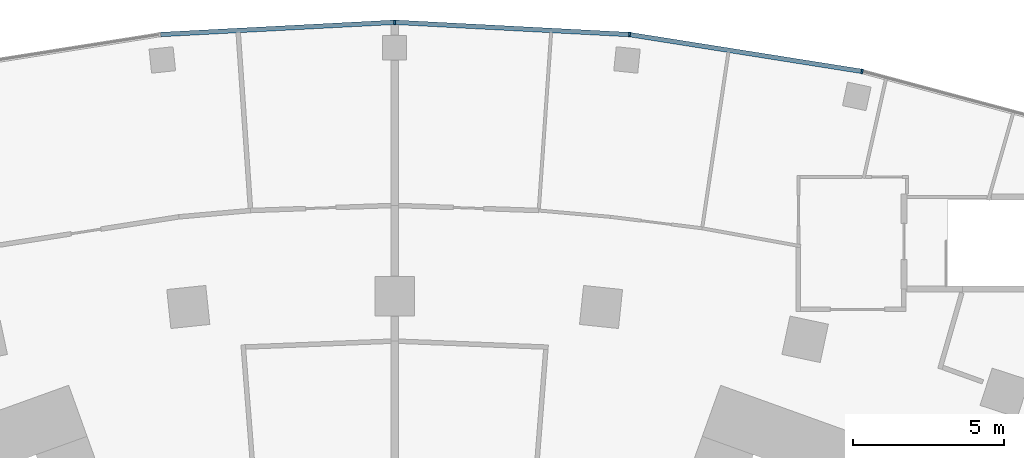
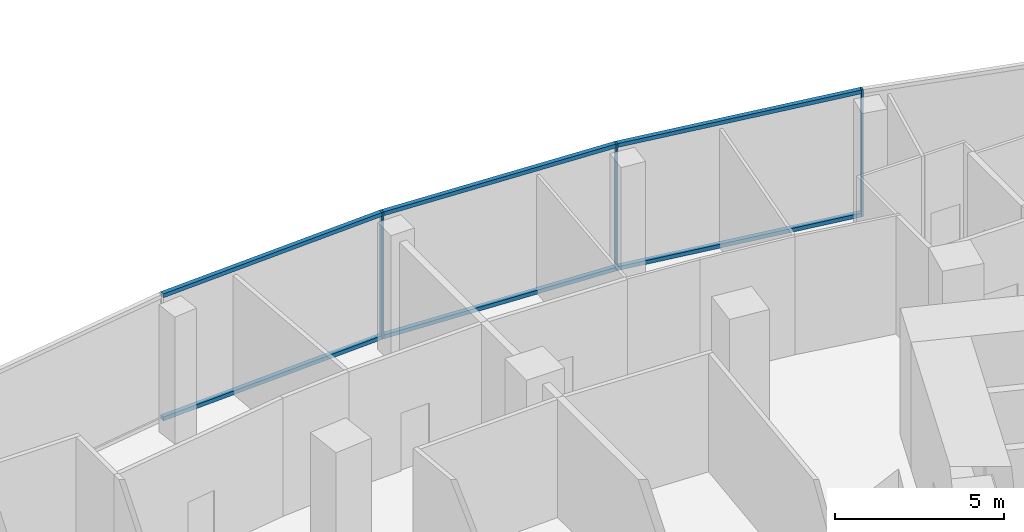
# One storey, part 13 of 33: 9 members, 1 element without a shape of its own.
"""IFC4 building model written with IfcOpenShell, lengths in metres."""

import ifcopenshell
import ifcopenshell.guid

model = None  # the IFC model being written
_history = None  # IfcOwnerHistory: only IFC2X3 demands one
_inside = {}  # id of a spatial element -> (the spatial element, [elements in it])
_under = {}  # id of a project, library or spatial element -> (it, [spatial elements below it])
_declared = {}  # id of a project -> (the project, [libraries it declares])
_typed = {}  # id of a type object -> (the type object, [elements of that type])
_made_of = {}  # id of a material, layer set ... -> (it, [elements and type objects made of it])


def new_model(schema):
    """Start an empty IFC model of exactly this schema.

    Asked for "IFC4X3", IfcOpenShell would pick the latest addendum, in which some entities
    have other attributes; the version numbers below select the first issue.
    IFC2X3 requires an IfcOwnerHistory on every rooted entity: one is made here for all.
    """
    global model, _history
    if schema == "IFC4X3":
        model = ifcopenshell.file(schema_version=(4, 3, 0, 0))
    else:
        model = ifcopenshell.file(schema=schema)
    _inside.clear()
    _under.clear()
    _declared.clear()
    _typed.clear()
    _made_of.clear()
    _history = None
    if model.schema == "IFC2X3":
        org = make("IfcOrganization", Name="unknown")
        user = make(
            "IfcPersonAndOrganization",
            ThePerson=make("IfcPerson", FamilyName="unknown"),
            TheOrganization=org,
        )
        app = make(
            "IfcApplication",
            ApplicationDeveloper=org,
            Version="unknown",
            ApplicationFullName="unknown",
            ApplicationIdentifier="unknown",
        )
        _history = make(
            "IfcOwnerHistory",
            OwningUser=user,
            OwningApplication=app,
            ChangeAction="ADDED",
            CreationDate=0,
        )
    return model


def make(cls, **values):
    """One entity of the class cls with the attributes given. An attribute that is None is left unset."""
    return model.create_entity(
        cls, **{name: value for name, value in values.items() if value is not None}
    )


def rooted(cls, **values):
    """An entity with a GlobalId (a new one), such as an element, a storey or a relation."""
    return make(cls, GlobalId=ifcopenshell.guid.new(), OwnerHistory=_history, **values)


def si_unit(unit_type, name, prefix=None):
    """IfcSIUnit, for example si_unit("LENGTHUNIT", "METRE", prefix="MILLI")."""
    return make("IfcSIUnit", UnitType=unit_type, Prefix=prefix, Name=name)


def assignment(units):
    """IfcUnitAssignment: the units of a project."""
    return None if units is None else make("IfcUnitAssignment", Units=units)


def point(xyz):
    """IfcCartesianPoint."""
    return None if xyz is None else make("IfcCartesianPoint", Coordinates=xyz)


def direction(xyz):
    """IfcDirection."""
    return None if xyz is None else make("IfcDirection", DirectionRatios=xyz)


def frame(location, z_axis=None, x_axis=None):
    """IfcAxis2Placement3D, a coordinate frame: its origin and axes. An axis left out is left unset."""
    return make(
        "IfcAxis2Placement3D",
        Location=point(location),
        Axis=direction(z_axis),
        RefDirection=direction(x_axis),
    )


def frame_2d(location, x_axis=None):
    """IfcAxis2Placement2D, a coordinate frame in the plane: its origin and x axis."""
    return make(
        "IfcAxis2Placement2D", Location=point(location), RefDirection=direction(x_axis)
    )


def origin():
    """The frame at (0, 0, 0) with its axes left unset."""
    return frame((0.0, 0.0, 0.0))


def origin_2d():
    """The frame at (0, 0) in the plane with its x axis left unset."""
    return frame_2d((0.0, 0.0))


def place(relative_to, where):
    """IfcLocalPlacement: puts the frame where relative to a parent placement (None: the world)."""
    return make(
        "IfcLocalPlacement", PlacementRelTo=relative_to, RelativePlacement=where
    )


def context(
    kind, dimensions, precision=None, world=None, true_north=None, identifier=None
):
    """IfcGeometricRepresentationContext, for example the 3D "Model" context."""
    return make(
        "IfcGeometricRepresentationContext",
        ContextIdentifier=identifier,
        ContextType=kind,
        CoordinateSpaceDimension=dimensions,
        Precision=precision,
        WorldCoordinateSystem=world,
        TrueNorth=true_north,
    )


def subcontext(parent, identifier, kind, view, scale=None):
    """IfcGeometricRepresentationSubContext, for example "Body" below "Model"."""
    return make(
        "IfcGeometricRepresentationSubContext",
        ContextIdentifier=identifier,
        ContextType=kind,
        ParentContext=parent,
        TargetScale=scale,
        TargetView=view,
    )


def project(units=None, contexts=None):
    """IfcProject with its units and contexts."""
    return rooted(
        "IfcProject",
        Name="project",
        RepresentationContexts=contexts,
        UnitsInContext=assignment(units),
    )


def spatial(cls, under=None, at=None, **own):
    """A site, building, storey or space (cls), placed at a placement, below another one or the project."""
    s = rooted(cls, ObjectPlacement=at, **own)
    if under is not None:
        _under.setdefault(under.id(), (under, []))[1].append(s)
    return s


def profile(cls, at=None, kind="AREA", **sizes):
    """A parametric profile (cls). Its sizes go by their IFC names, for example OverallWidth=200.0."""
    return make(cls, ProfileType=kind, Position=at, **sizes)


def rectangle(**sizes):
    """IfcRectangleProfileDef."""
    return profile("IfcRectangleProfileDef", **sizes)


def extrude(swept, where, along, depth):
    """IfcExtrudedAreaSolid: the profile swept, set in the frame where, extruded along a direction by depth."""
    return make(
        "IfcExtrudedAreaSolid",
        SweptArea=swept,
        Position=where,
        ExtrudedDirection=direction(along),
        Depth=depth,
    )


def shape(context_of_items, identifier, shape_type, items):
    """IfcShapeRepresentation: the items that make up one representation, for example the "Body"."""
    return make(
        "IfcShapeRepresentation",
        ContextOfItems=context_of_items,
        RepresentationIdentifier=identifier,
        RepresentationType=shape_type,
        Items=items,
    )


def material(Name=None, Category=None):
    """IfcMaterial."""
    return make("IfcMaterial", Name=Name, Category=Category)


def layer(
    of_material, thickness, ventilated=None, Name=None, Category=None, Priority=None
):
    """IfcMaterialLayer: one layer of a wall or slab, of a material (None: an air gap)."""
    return make(
        "IfcMaterialLayer",
        Material=of_material,
        LayerThickness=thickness,
        IsVentilated=ventilated,
        Name=Name,
        Category=Category,
        Priority=Priority,
    )


def layer_set(layers, Name=None):
    """IfcMaterialLayerSet."""
    return make("IfcMaterialLayerSet", MaterialLayers=layers, LayerSetName=Name)


def material_profile(
    of_material, cross_section, Name=None, Category=None, Priority=None
):
    """IfcMaterialProfile: a cross section and its material."""
    return make(
        "IfcMaterialProfile",
        Name=Name,
        Material=of_material,
        Profile=cross_section,
        Priority=Priority,
        Category=Category,
    )


def profile_set(profiles, Name=None, composite=None):
    """IfcMaterialProfileSet."""
    return make(
        "IfcMaterialProfileSet",
        Name=Name,
        MaterialProfiles=profiles,
        CompositeProfile=composite,
    )


def made_of(thing, what):
    """Note that an element or type object is made of a material, layer set ...; save() writes the relation."""
    if what is not None:
        _made_of.setdefault(what.id(), (what, []))[1].append(thing)
    return thing


def type_object(cls, material=None, **own):
    """A type object (cls), such as IfcWallType, which elements share."""
    return made_of(rooted(cls, **own), material)


def element(
    cls,
    number,
    at=None,
    inside=None,
    cuts=None,
    type_object=None,
    material=None,
    context=None,
    identifier="Body",
    shape_type=None,
    held_by="IfcProductDefinitionShape",
    body=None,
    shapes=None,
    **own,
):
    """One element of the class cls, such as IfcWall. Its Tag is "e" and its number.

    at: its placement. inside: the storey or other place that contains it. cuts: it is an
    opening in that element (IfcRelVoidsElement). A single representation is given by context,
    identifier, shape_type and body (its items); several are given by shapes. held_by: the class
    of the entity that holds the representations. save() writes the other relations.
    """
    e = rooted(cls, Tag="e%d" % number, ObjectPlacement=at, **own)
    if body is not None:
        shapes = [shape(context, identifier, shape_type, body)]
    if shapes is not None:
        e.Representation = make(held_by, Representations=shapes)
    if inside is not None:
        _inside.setdefault(inside.id(), (inside, []))[1].append(e)
    if cuts is not None:
        rooted(
            "IfcRelVoidsElement", RelatingBuildingElement=cuts, RelatedOpeningElement=e
        )
    if type_object is not None:
        _typed.setdefault(type_object.id(), (type_object, []))[1].append(e)
    return made_of(e, material)


def aggregate(whole, parts):
    """IfcRelAggregates: a whole, such as a stair, and the parts it consists of."""
    return rooted("IfcRelAggregates", RelatingObject=whole, RelatedObjects=parts)


def save(model, path):
    """Write the relations noted so far, then the file.

    IfcRelAggregates (storeys below a building ...), IfcRelContainedInSpatialStructure (elements
    in a storey), IfcRelDefinesByType, IfcRelAssociatesMaterial and IfcRelDeclares: one each for
    every whole, place, type object, material and project.
    """
    for whole, parts in _under.values():
        aggregate(whole, parts)
    for where, things in _inside.values():
        rooted(
            "IfcRelContainedInSpatialStructure",
            RelatedElements=things,
            RelatingStructure=where,
        )
    for kind, things in _typed.values():
        rooted("IfcRelDefinesByType", RelatedObjects=things, RelatingType=kind)
    for what, things in _made_of.values():
        rooted("IfcRelAssociatesMaterial", RelatedObjects=things, RelatingMaterial=what)
    for by, libraries in _declared.values():
        rooted("IfcRelDeclares", RelatingContext=by, RelatedDefinitions=libraries)
    model.write(path)


model = new_model("IFC4")

# Units and contexts
model_context = context("Model", 3, precision=1e-05, world=origin(), true_north=direction((0.0, 1.0)))
body_context = subcontext(model_context, "Body", "Model", "MODEL_VIEW")
ifc_project = project(units=[si_unit("LENGTHUNIT", "METRE"), si_unit("AREAUNIT", "SQUARE_METRE"), si_unit("VOLUMEUNIT", "CUBIC_METRE"), si_unit("PLANEANGLEUNIT", "RADIAN"), si_unit("MASSUNIT", "GRAM", prefix="KILO")], contexts=[model_context])

# Site, building, storey
site_placement = place(None, origin())
site = spatial("IfcSite", under=ifc_project, at=site_placement, CompositionType="ELEMENT")
building_placement = place(site_placement, origin())
building = spatial("IfcBuilding", under=site, at=building_placement, Name="Stone Belt Terrace Tower", CompositionType="ELEMENT")
storey_placement = place(building_placement, frame((0.0, 0.0, 25.39990234375)))
storey = spatial("IfcBuildingStorey", under=building, at=storey_placement, Name="L05", CompositionType="ELEMENT", Elevation=25.39990234375)

# Curtain wall, members
ifc_material = material(Name="Aluminium 6063-T6 anodised frame", Category="aluminium")
ifc_layer = layer(ifc_material, 0.14990234375)
ifc_layer_set = layer_set([ifc_layer], Name="CW-D podium shopfront")
curtain_wall_type = type_object("IfcCurtainWallType", Name="CW-D podium shopfront", PredefinedType="NOTDEFINED", material=ifc_layer_set)
curtain_wall_placement = place(storey_placement, origin())
curtain_wall = element("IfcCurtainWall", 1, at=curtain_wall_placement, inside=storey, type_object=curtain_wall_type, Name="CW-D convex face L05", PredefinedType="NOTDEFINED")
ifc_material_profile_1 = material_profile(ifc_material, rectangle(XDim=0.14990234375, YDim=0.06005859375, at=origin_2d()), Name="Aluminium 6063-T6 60x150")
ifc_profile_set_1 = profile_set([ifc_material_profile_1], Name="Aluminium 6063-T6 anodised frame")
member_type_1 = type_object("IfcMemberType", Name="CW-D mullion 60 x 150", PredefinedType="MULLION", material=ifc_profile_set_1)
member_1_placement = place(storey_placement, frame((15.505126953125, 72.945556640625, 0.0), z_axis=(0.0, 0.0, 1.0), x_axis=(-0.207911690818, -0.978147600734, 0.0)))
member_1 = element("IfcMember", 2, at=member_1_placement, type_object=member_type_1, Name="CW-D mullion 11", PredefinedType="MULLION", context=body_context, shape_type="SweptSolid", body=[
    extrude(rectangle(XDim=0.14990234375, YDim=0.06005859375, at=origin_2d()), origin(), (0.0, 0.0, 1.0), 4.60009765625),
])
member_2_placement = place(storey_placement, frame((7.795166015625, 74.16650390625, 0.0), z_axis=(0.0, 0.0, 1.0), x_axis=(-0.104528463268, -0.994521895368, 0.0)))
member_2 = element("IfcMember", 3, at=member_2_placement, type_object=member_type_1, Name="CW-D mullion 12", PredefinedType="MULLION", context=body_context, shape_type="SweptSolid", body=[
    extrude(rectangle(XDim=0.14990234375, YDim=0.06005859375, at=origin_2d()), origin(), (0.0, 0.0, 1.0), 4.60009765625),
])
member_3_placement = place(storey_placement, frame((0.0, 74.5751953125, 0.0), z_axis=(0.0, 0.0, 1.0), x_axis=(0.0, -1.0, 0.0)))
member_3 = element("IfcMember", 4, at=member_3_placement, type_object=member_type_1, Name="CW-D mullion 13", PredefinedType="MULLION", context=body_context, shape_type="SweptSolid", body=[
    extrude(rectangle(XDim=0.14990234375, YDim=0.06005859375, at=origin_2d()), origin(), (0.0, 0.0, 1.0), 4.60009765625),
])
ifc_material_profile_2 = material_profile(ifc_material, rectangle(XDim=0.14990234375, YDim=0.139892578125, at=origin_2d()), Name="Aluminium 6063-T6 150x140")
ifc_profile_set_2 = profile_set([ifc_material_profile_2], Name="Aluminium 6063-T6 anodised frame")
member_type_2 = type_object("IfcMemberType", Name="CW-D transom 140 x 150", PredefinedType="USERDEFINED", material=ifc_profile_set_2)
member_4_placement = place(storey_placement, frame((15.4716796875, 72.95068359375, 0.070068359375), z_axis=(-0.987685334162, 0.156453445733, 0.0), x_axis=(-0.156453445733, -0.987685334162, 0.0)))
member_4 = element("IfcMember", 5, at=member_4_placement, type_object=member_type_2, Name="CW-D transom 11.1", ObjectType="TRANSOM", PredefinedType="USERDEFINED", context=body_context, shape_type="SweptSolid", body=[
    extrude(rectangle(XDim=0.14990234375, YDim=0.139892578125, at=origin_2d()), origin(), (0.0, 0.0, 1.0), 7.73828125),
])
member_5_placement = place(storey_placement, frame((15.4716796875, 72.95068359375, 4.530029296875), z_axis=(-0.987685334162, 0.156453445733, 0.0), x_axis=(-0.156453445733, -0.987685334162, 0.0)))
member_5 = element("IfcMember", 6, at=member_5_placement, type_object=member_type_2, Name="CW-D transom 11.2", ObjectType="TRANSOM", PredefinedType="USERDEFINED", context=body_context, shape_type="SweptSolid", body=[
    extrude(rectangle(XDim=0.14990234375, YDim=0.139892578125, at=origin_2d()), origin(), (0.0, 0.0, 1.0), 7.73828125),
])
member_6_placement = place(storey_placement, frame((7.761474609375, 74.16845703125, 0.070068359375), z_axis=(-0.998630871779, 0.052310438058, 0.0), x_axis=(-0.052310438058, -0.998630871779, 0.0)))
member_6 = element("IfcMember", 7, at=member_6_placement, type_object=member_type_2, Name="CW-D transom 12.1", ObjectType="TRANSOM", PredefinedType="USERDEFINED", context=body_context, shape_type="SweptSolid", body=[
    extrude(rectangle(XDim=0.14990234375, YDim=0.139892578125, at=origin_2d()), origin(), (0.0, 0.0, 1.0), 7.738037109375),
])
member_7_placement = place(storey_placement, frame((7.761474609375, 74.16845703125, 4.530029296875), z_axis=(-0.998630871779, 0.052310438058, 0.0), x_axis=(-0.052310438058, -0.998630871779, 0.0)))
member_7 = element("IfcMember", 8, at=member_7_placement, type_object=member_type_2, Name="CW-D transom 12.2", ObjectType="TRANSOM", PredefinedType="USERDEFINED", context=body_context, shape_type="SweptSolid", body=[
    extrude(rectangle(XDim=0.14990234375, YDim=0.139892578125, at=origin_2d()), origin(), (0.0, 0.0, 1.0), 7.738037109375),
])
member_8_placement = place(storey_placement, frame((-0.033935546875, 74.5732421875, 0.070068359375), z_axis=(-0.998630871779, -0.052310438058, 0.0), x_axis=(0.052310438058, -0.998630871779, 0.0)))
member_8 = element("IfcMember", 9, at=member_8_placement, type_object=member_type_2, Name="CW-D transom 13.1", ObjectType="TRANSOM", PredefinedType="USERDEFINED", context=body_context, shape_type="SweptSolid", body=[
    extrude(rectangle(XDim=0.14990234375, YDim=0.139892578125, at=origin_2d()), origin(), (0.0, 0.0, 1.0), 7.738037109375),
])
member_9_placement = place(storey_placement, frame((-0.033935546875, 74.5732421875, 4.530029296875), z_axis=(-0.998630871779, -0.052310438058, 0.0), x_axis=(0.052310438058, -0.998630871779, 0.0)))
member_9 = element("IfcMember", 10, at=member_9_placement, type_object=member_type_2, Name="CW-D transom 13.2", ObjectType="TRANSOM", PredefinedType="USERDEFINED", context=body_context, shape_type="SweptSolid", body=[
    extrude(rectangle(XDim=0.14990234375, YDim=0.139892578125, at=origin_2d()), origin(), (0.0, 0.0, 1.0), 7.738037109375),
])
aggregate(curtain_wall, [member_1, member_2, member_3, member_4, member_5, member_6, member_7, member_8, member_9])

save(model, "model.ifc")
